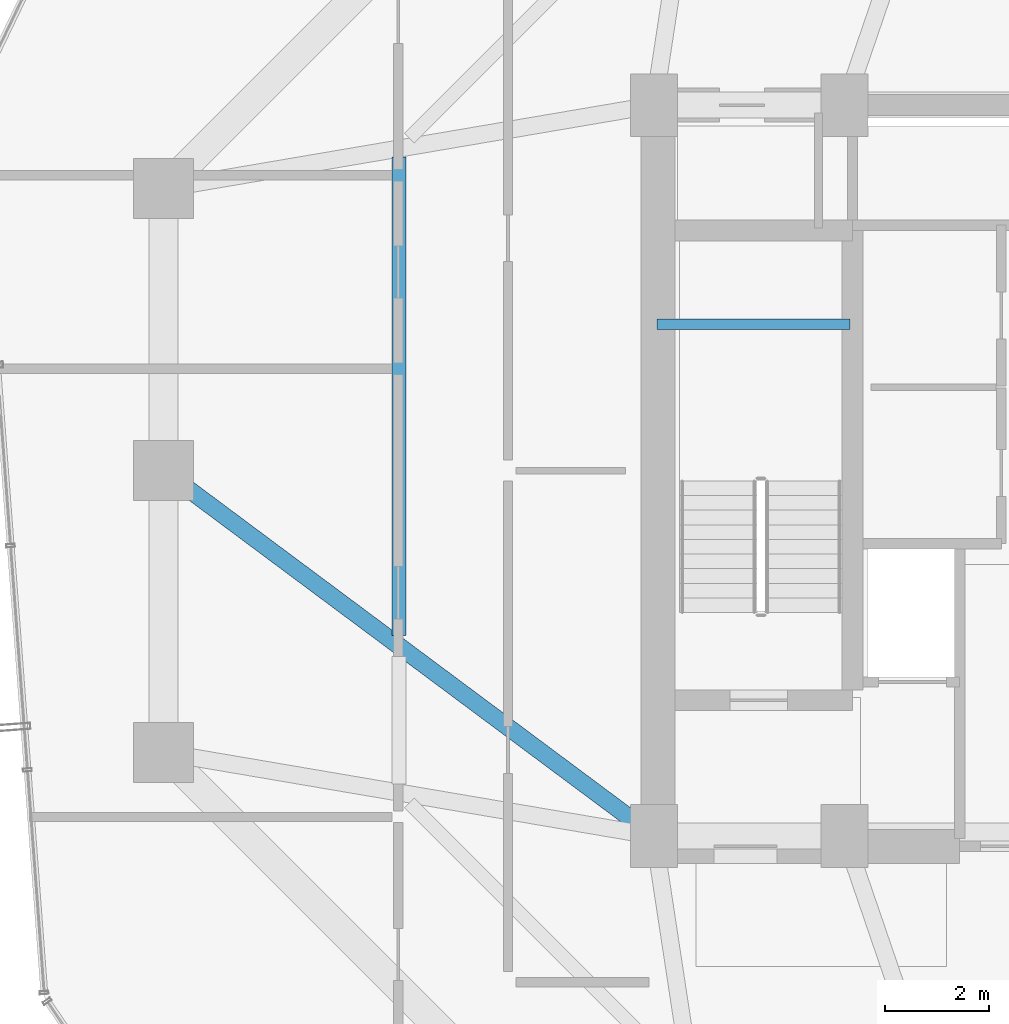
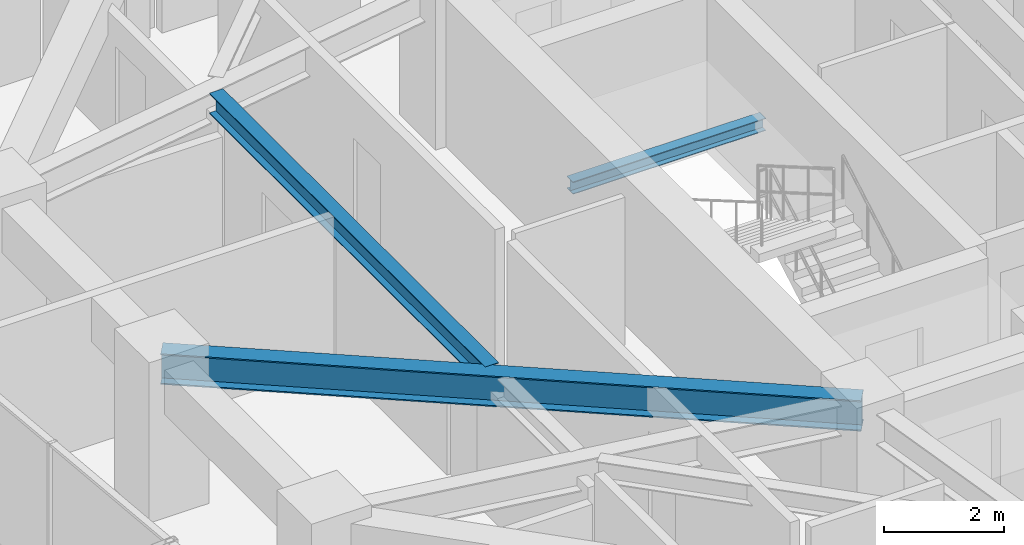
# One storey, part 13 of 35: 3 beams.
"""IFC4 building model written with IfcOpenShell, lengths in metres."""

from ifc_helpers import new_model, si_unit, direction, frame, origin, origin_2d, place, context, subcontext, project, spatial, i_section, extrude, material, material_profile, profile_set, type_object, element, save


model = new_model("IFC4")

# Units and contexts
model_context = context("Model", 3, precision=1e-05, world=origin(), true_north=direction((0.0, 1.0)))
body_context = subcontext(model_context, "Body", "Model", "MODEL_VIEW")
ifc_project = project(units=[si_unit("LENGTHUNIT", "METRE"), si_unit("AREAUNIT", "SQUARE_METRE"), si_unit("VOLUMEUNIT", "CUBIC_METRE"), si_unit("PLANEANGLEUNIT", "RADIAN"), si_unit("MASSUNIT", "GRAM", prefix="KILO")], contexts=[model_context])

# Site, building, storey
site_placement = place(None, origin())
site = spatial("IfcSite", under=ifc_project, at=site_placement, CompositionType="ELEMENT")
building_placement = place(site_placement, origin())
building = spatial("IfcBuilding", under=site, at=building_placement, Name="Veraguas Prism Commons", CompositionType="ELEMENT")
storey_placement = place(building_placement, frame((0.0, 0.0, 142.5)))
storey = spatial("IfcBuildingStorey", under=building, at=storey_placement, Name="L40", CompositionType="ELEMENT", Elevation=142.5)

# Beams
ifc_material = material(Name="Steel ASTM A992 Grade 50", Category="steel")
ifc_material_profile_1 = material_profile(ifc_material, i_section(OverallWidth=0.260986328125, OverallDepth=0.419921875, WebThickness=0.01171875, FlangeThickness=0.019287109375, at=origin_2d()), Name="W410X114")
ifc_profile_set_1 = profile_set([ifc_material_profile_1], Name="Steel ASTM A992 Grade 50")
beam_type_1 = type_object("IfcBeamType", Name="Lower Floor Joist W410x114", PredefinedType="JOIST", material=ifc_profile_set_1)
beam_1_placement = place(storey_placement, frame((12.31201171875, 30.003662109375, 2.7900390625), z_axis=(0.0, -1.0, 0.0), x_axis=(1.0, 0.0, 0.0)))
element("IfcBeam", 1, at=beam_1_placement, inside=storey, type_object=beam_type_1, Name="Composite Floor Joist L40-JS07", PredefinedType="JOIST", context=body_context, shape_type="SweptSolid", body=[
    extrude(i_section(OverallWidth=0.260986328125, OverallDepth=0.419921875, WebThickness=0.01171875, FlangeThickness=0.019287109375, at=origin_2d()), origin(), (0.0, 0.0, 1.0), 9.16162109375),
])
ifc_material_profile_2 = material_profile(ifc_material, i_section(OverallWidth=0.202880859375, OverallDepth=0.251953125, WebThickness=0.008056640625, FlangeThickness=0.013427734375, at=origin_2d()), Name="W250X58")
ifc_profile_set_2 = profile_set([ifc_material_profile_2], Name="Steel ASTM A992 Grade 50")
beam_type_2 = type_object("IfcBeamType", Name="Structural Opening Lintel W250x58", PredefinedType="LINTEL", material=ifc_profile_set_2)
beam_2_placement = place(storey_placement, frame((17.25, 26.800048828125, 1.299072265625), z_axis=(1.0, 0.0, 0.0), x_axis=(0.0, 1.0, 0.0)))
element("IfcBeam", 2, at=beam_2_placement, inside=storey, type_object=beam_type_2, Name="Stair ST-01 Half-Landing Support Beam L40-1", PredefinedType="LINTEL", context=body_context, shape_type="SweptSolid", body=[
    extrude(i_section(OverallWidth=0.202880859375, OverallDepth=0.251953125, WebThickness=0.008056640625, FlangeThickness=0.013427734375, at=origin_2d()), origin(), (0.0, 0.0, 1.0), 3.699951171875),
])
ifc_material_profile_3 = material_profile(ifc_material, i_section(OverallWidth=0.327880859375, OverallDepth=0.6220703125, WebThickness=0.015380859375, FlangeThickness=0.0244140625, at=origin_2d()), Name="W610X195")
ifc_profile_set_3 = profile_set([ifc_material_profile_3], Name="Steel ASTM A992 Grade 50")
beam_type_3 = type_object("IfcBeamType", Name="Zone 2 Radial Girder W610x195", PredefinedType="BEAM", material=ifc_profile_set_3)
beam_3_placement = place(storey_placement, frame((7.800048828125, 24.0, 2.68896484375), z_axis=(0.802040137921, -0.597270137512, 0.0), x_axis=(0.597270137512, 0.802040137921, 0.0)))
element("IfcBeam", 3, at=beam_3_placement, inside=storey, type_object=beam_type_3, Name="Radial Floor Girder L40-RD08", PredefinedType="BEAM", context=body_context, shape_type="SweptSolid", body=[
    extrude(i_section(OverallWidth=0.327880859375, OverallDepth=0.6220703125, WebThickness=0.015380859375, FlangeThickness=0.0244140625, at=origin_2d()), origin(), (0.0, 0.0, 1.0), 11.719970703125),
])

save(model, "model.ifc")
